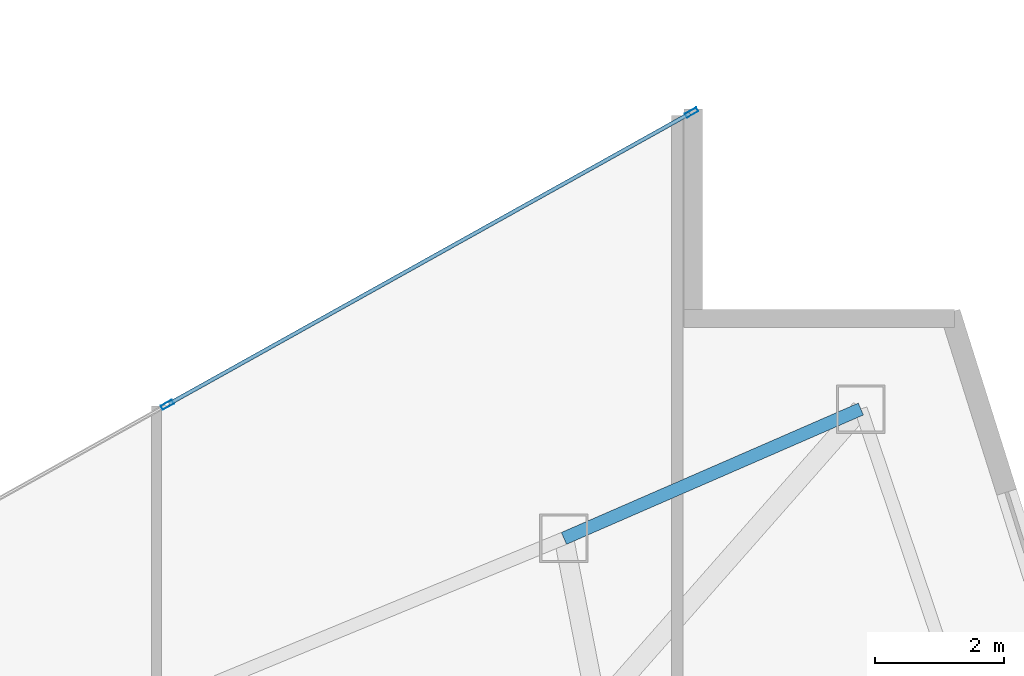
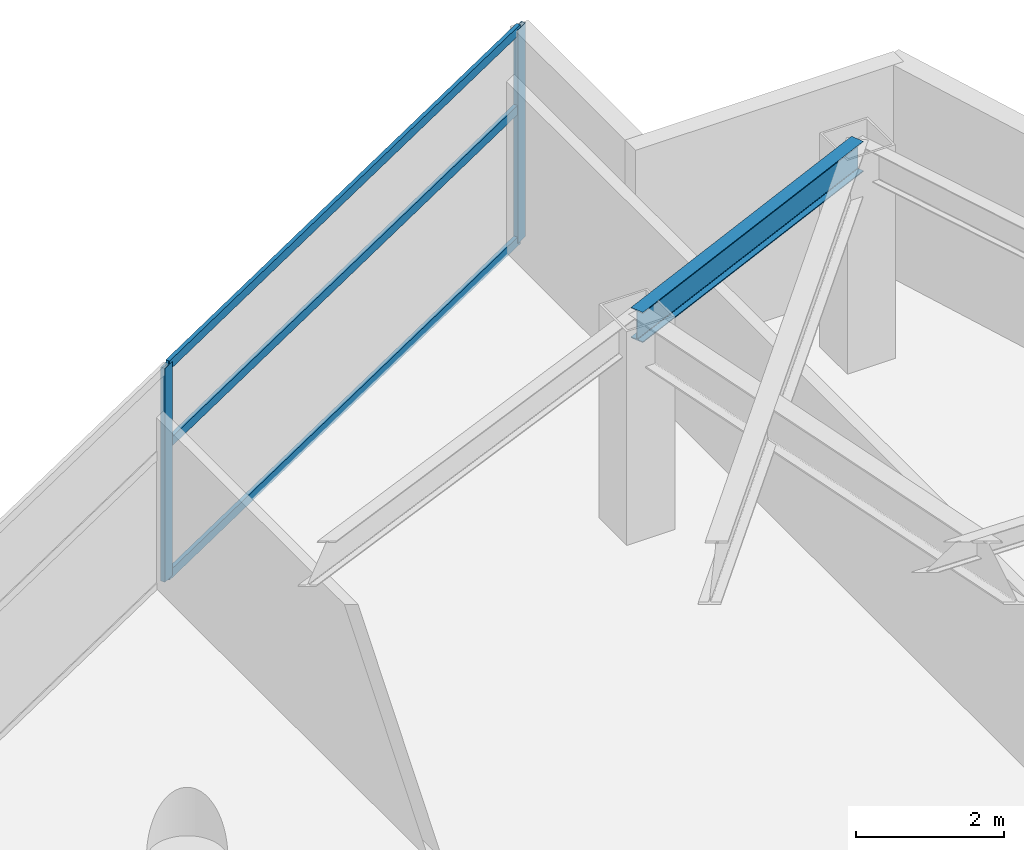
# One storey, part 20 of 28: 5 members, 1 beam, 1 element without a shape of its own.
"""IFC4 building model written with IfcOpenShell, lengths in metres."""

from ifc_helpers import new_model, si_unit, direction, frame, origin, origin_2d, place, context, subcontext, project, spatial, hollow_rectangle, i_section, extrude, material, layer, layer_set, material_profile, profile_set, type_object, element, aggregate, save


model = new_model("IFC4")

# Units and contexts
model_context = context("Model", 3, precision=1e-05, world=origin(), true_north=direction((0.0, 1.0)))
body_context = subcontext(model_context, "Body", "Model", "MODEL_VIEW")
ifc_project = project(units=[si_unit("LENGTHUNIT", "METRE"), si_unit("AREAUNIT", "SQUARE_METRE"), si_unit("VOLUMEUNIT", "CUBIC_METRE"), si_unit("PLANEANGLEUNIT", "RADIAN"), si_unit("MASSUNIT", "GRAM", prefix="KILO")], contexts=[model_context])

# Site, building, storey
site_placement = place(None, origin())
site = spatial("IfcSite", under=ifc_project, at=site_placement, CompositionType="ELEMENT")
building_placement = place(site_placement, origin())
building = spatial("IfcBuilding", under=site, at=building_placement, Name="Calvorn Quay Hotel", CompositionType="ELEMENT")
storey_placement = place(building_placement, frame((0.0, 0.0, 135.39990234375)))
storey = spatial("IfcBuildingStorey", under=building, at=storey_placement, Name="L33", CompositionType="ELEMENT", Elevation=135.39990234375)

# Beam
ifc_material_1 = material(Name="Steel Q355B", Category="steel")
ifc_material_profile_1 = material_profile(ifc_material_1, i_section(OverallWidth=0.199951171875, OverallDepth=0.5, WebThickness=0.010009765625, FlangeThickness=0.01611328125, FilletRadius=0.01611328125, at=origin_2d()), Name="HN500x200x10x16")
ifc_profile_set_1 = profile_set([ifc_material_profile_1], Name="Steel Q355B")
beam_type = type_object("IfcBeamType", Name="BM-SPANDREL-Z1", PredefinedType="SPANDREL", material=ifc_profile_set_1)
beam_placement = place(storey_placement, frame((48.591064453125, 33.39990234375, 3.27001953125), z_axis=(-0.916786146489, -0.399378469132, 0.0), x_axis=(0.399378469132, -0.916786146489, 0.0)))
element("IfcBeam", 1, at=beam_placement, inside=storey, type_object=beam_type, Name="Beam BSP-L33-E3", PredefinedType="SPANDREL", context=body_context, shape_type="SweptSolid", body=[
    extrude(i_section(OverallWidth=0.199951171875, OverallDepth=0.5, WebThickness=0.010009765625, FlangeThickness=0.01611328125, FilletRadius=0.01611328125, at=origin_2d()), origin(), (0.0, 0.0, 1.0), 5.0078125),
])

# Curtain wall, members
ifc_material_2 = material(Name="Pale Anodised Aluminium and Low-E Glass", Category="aluminium")
ifc_layer = layer(ifc_material_2, 0.219970703125)
ifc_layer_set = layer_set([ifc_layer], Name="CW-SYS-Z2")
curtain_wall_type = type_object("IfcCurtainWallType", Name="CW-SYS-Z2", PredefinedType="NOTDEFINED", material=ifc_layer_set)
curtain_wall_placement = place(storey_placement, origin())
curtain_wall = element("IfcCurtainWall", 2, at=curtain_wall_placement, inside=storey, type_object=curtain_wall_type, Name="Inner Court Curtain Wall L33-NE1", PredefinedType="NOTDEFINED")
ifc_material_3 = material(Name="Pale Anodised Aluminium 6063-T6", Category="aluminium")
ifc_material_profile_2 = material_profile(ifc_material_3, hollow_rectangle(XDim=0.070068359375, YDim=0.199951171875, WallThickness=0.00390625, at=origin_2d()), Name="ALU-M200x70x4")
ifc_profile_set_2 = profile_set([ifc_material_profile_2], Name="Pale Anodised Aluminium 6063-T6")
member_type_1 = type_object("IfcMemberType", Name="CW-SYS-Z2-MUL", PredefinedType="MULLION", material=ifc_profile_set_2)
member_1_placement = place(storey_placement, frame((45.973876953125, 37.9853515625, 0.0), z_axis=(0.0, 0.0, 1.0), x_axis=(0.486858256224, -0.873480989116, 0.0)))
member_1 = element("IfcMember", 3, at=member_1_placement, type_object=member_type_1, Name="CW-L33-NE1 mullion 1", PredefinedType="MULLION", context=body_context, shape_type="SweptSolid", body=[
    extrude(hollow_rectangle(XDim=0.070068359375, YDim=0.199951171875, WallThickness=0.00390625, at=origin_2d()), origin(), (0.0, 0.0, 1.0), 3.52001953125),
])
member_2_placement = place(storey_placement, frame((37.86669921875, 33.466552734375, 0.0), z_axis=(0.0, 0.0, 1.0), x_axis=(0.486858256224, -0.873480989116, 0.0)))
member_2 = element("IfcMember", 4, at=member_2_placement, type_object=member_type_1, Name="CW-L33-NE1 mullion 2", PredefinedType="MULLION", context=body_context, shape_type="SweptSolid", body=[
    extrude(hollow_rectangle(XDim=0.070068359375, YDim=0.199951171875, WallThickness=0.00390625, at=origin_2d()), origin(), (0.0, 0.0, 1.0), 3.52001953125),
])
ifc_material_4 = material(Name="Pale Anodised Aluminium 6063-T6", Category="aluminium")
ifc_material_profile_3 = material_profile(ifc_material_4, hollow_rectangle(XDim=0.06005859375, YDim=0.14990234375, WallThickness=0.00341796875, at=origin_2d()), Name="ALU-T150x60x3.5")
ifc_profile_set_3 = profile_set([ifc_material_profile_3], Name="Pale Anodised Aluminium 6063-T6")
member_type_2 = type_object("IfcMemberType", Name="CW-SYS-Z2-TRN", PredefinedType="USERDEFINED", material=ifc_profile_set_3)
member_3_placement = place(storey_placement, frame((45.947509765625, 37.970703125, 0.030029296875), z_axis=(-0.87348080454, -0.486858587375, 0.0), x_axis=(0.486858587375, -0.87348080454, 0.0)))
member_3 = element("IfcMember", 5, at=member_3_placement, type_object=member_type_2, Name="CW-L33-NE1 transom 1.1", ObjectType="TRANSOM", PredefinedType="USERDEFINED", context=body_context, shape_type="SweptSolid", body=[
    extrude(hollow_rectangle(XDim=0.06005859375, YDim=0.14990234375, WallThickness=0.00341796875, at=origin_2d()), origin(), (0.0, 0.0, 1.0), 9.221435546875),
])
member_4_placement = place(storey_placement, frame((45.947509765625, 37.970703125, 2.2001953125), z_axis=(-0.87348080454, -0.486858587375, 0.0), x_axis=(0.486858587375, -0.87348080454, 0.0)))
member_4 = element("IfcMember", 6, at=member_4_placement, type_object=member_type_2, Name="CW-L33-NE1 transom 1.2", ObjectType="TRANSOM", PredefinedType="USERDEFINED", context=body_context, shape_type="SweptSolid", body=[
    extrude(hollow_rectangle(XDim=0.06005859375, YDim=0.14990234375, WallThickness=0.00341796875, at=origin_2d()), origin(), (0.0, 0.0, 1.0), 9.221435546875),
])
member_5_placement = place(storey_placement, frame((45.947509765625, 37.970703125, 3.489990234375), z_axis=(-0.87348080454, -0.486858587375, 0.0), x_axis=(0.486858587375, -0.87348080454, 0.0)))
member_5 = element("IfcMember", 7, at=member_5_placement, type_object=member_type_2, Name="CW-L33-NE1 transom 1.3", ObjectType="TRANSOM", PredefinedType="USERDEFINED", context=body_context, shape_type="SweptSolid", body=[
    extrude(hollow_rectangle(XDim=0.06005859375, YDim=0.14990234375, WallThickness=0.00341796875, at=origin_2d()), origin(), (0.0, 0.0, 1.0), 9.221435546875),
])
aggregate(curtain_wall, [member_1, member_2, member_3, member_4, member_5])

save(model, "model.ifc")
